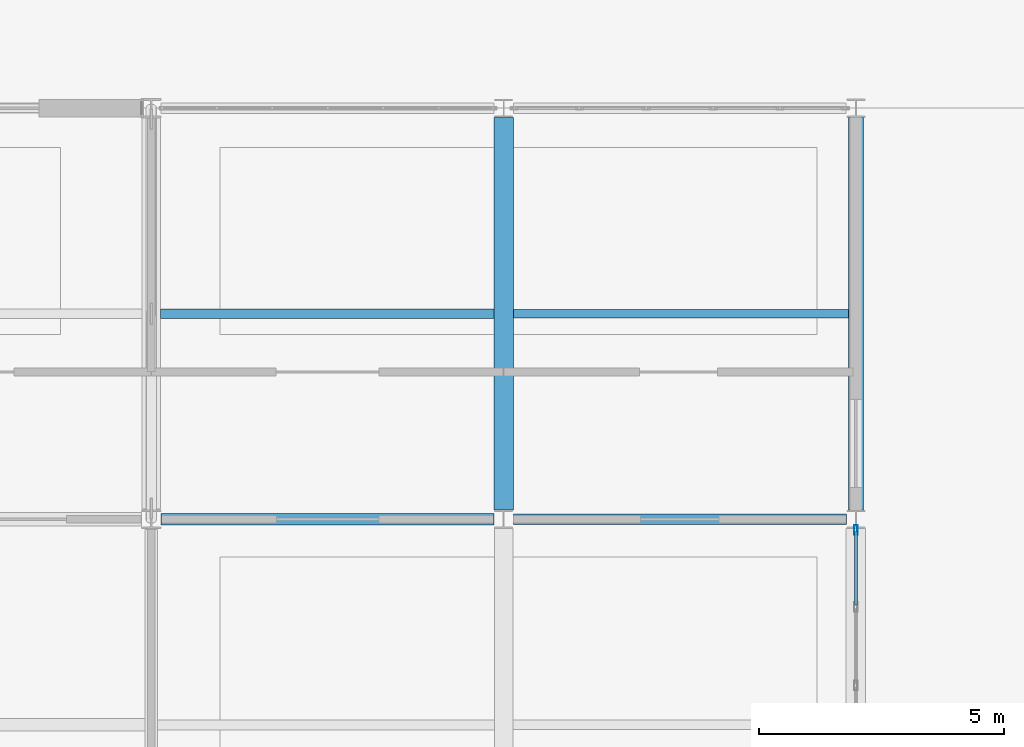
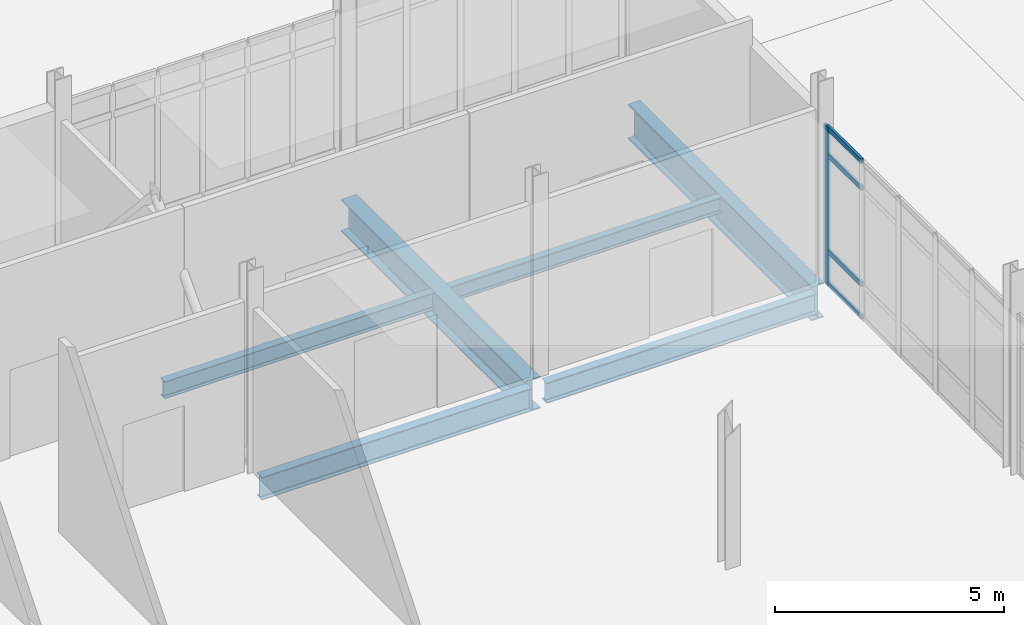
# One storey, part 125 of 229: 6 beams, 5 members, 1 element without a shape of its own.
"""IFC4 building model written with IfcOpenShell, lengths in metres."""

from ifc_helpers import new_model, si_unit, direction, frame, origin, origin_2d, place, context, subcontext, project, spatial, hollow_rectangle, i_section, extrude, material, layer, layer_set, material_profile, profile_set, type_object, element, aggregate, save


model = new_model("IFC4")

# Units and contexts
model_context = context("Model", 3, precision=1e-05, world=origin(), true_north=direction((0.0, 1.0)))
body_context = subcontext(model_context, "Body", "Model", "MODEL_VIEW")
ifc_project = project(units=[si_unit("LENGTHUNIT", "METRE"), si_unit("AREAUNIT", "SQUARE_METRE"), si_unit("VOLUMEUNIT", "CUBIC_METRE"), si_unit("PLANEANGLEUNIT", "RADIAN"), si_unit("MASSUNIT", "GRAM", prefix="KILO")], contexts=[model_context])

# Site, building, storey
site_placement = place(None, origin())
site = spatial("IfcSite", under=ifc_project, at=site_placement, CompositionType="ELEMENT")
building_placement = place(site_placement, origin())
building = spatial("IfcBuilding", under=site, at=building_placement, Name="Calvrana Isthmian Art Gallery", CompositionType="ELEMENT")
storey_placement = place(building_placement, origin())
storey = spatial("IfcBuildingStorey", under=building, at=storey_placement, Name="L00", CompositionType="ELEMENT", Elevation=0.0)

# Beams
ifc_material_1 = material(Name="Steel ASTM A992 Gr 50", Category="steel")
ifc_material_profile_1 = material_profile(ifc_material_1, i_section(OverallWidth=0.214111328125, OverallDepth=0.549072265625, WebThickness=0.0146484375, FlangeThickness=0.023681640625, FilletRadius=0.02099609375, at=origin_2d()), Name="W21X93")
ifc_profile_set_1 = profile_set([ifc_material_profile_1], Name="Steel ASTM A992 Gr 50")
beam_type_1 = type_object("IfcBeamType", Name="BM-G-W21X93", PredefinedType="BEAM", material=ifc_profile_set_1)
beam_1_placement = place(storey_placement, frame((148.998046875, 38.39990234375, -0.5595703125), z_axis=(1.0, 0.0, 0.0), x_axis=(0.0, 1.0, 0.0)))
element("IfcBeam", 1, at=beam_1_placement, inside=storey, type_object=beam_type_1, Name="Girder X L00 20-21/F", PredefinedType="BEAM", context=body_context, shape_type="SweptSolid", body=[
    extrude(i_section(OverallWidth=0.214111328125, OverallDepth=0.549072265625, WebThickness=0.0146484375, FlangeThickness=0.023681640625, FilletRadius=0.02099609375, at=origin_2d()), origin(), (0.0, 0.0, 1.0), 6.804931640625),
])
ifc_material_profile_2 = material_profile(ifc_material_1, i_section(OverallWidth=0.22802734375, OverallDepth=0.60693359375, WebThickness=0.01123046875, FlangeThickness=0.017333984375, FilletRadius=0.02197265625, at=origin_2d()), Name="W24X76")
ifc_profile_set_2 = profile_set([ifc_material_profile_2], Name="Steel ASTM A992 Gr 50")
beam_type_2 = type_object("IfcBeamType", Name="BM-G-W24X76", PredefinedType="BEAM", material=ifc_profile_set_2)
beam_2_placement = place(storey_placement, frame((141.802978515625, 38.39990234375, -0.58837890625), z_axis=(1.0, 0.0, 0.0), x_axis=(0.0, 1.0, 0.0)))
element("IfcBeam", 2, at=beam_2_placement, inside=storey, type_object=beam_type_2, Name="Girder X L00 19-20/F", PredefinedType="BEAM", context=body_context, shape_type="SweptSolid", body=[
    extrude(i_section(OverallWidth=0.22802734375, OverallDepth=0.60693359375, WebThickness=0.01123046875, FlangeThickness=0.017333984375, FilletRadius=0.02197265625, at=origin_2d()), origin(), (0.0, 0.0, 1.0), 6.799072265625),
])
ifc_material_profile_3 = material_profile(ifc_material_1, i_section(OverallWidth=0.40087890625, OverallDepth=0.85595703125, WebThickness=0.018310546875, FlangeThickness=0.029296875, FilletRadius=0.02587890625, at=origin_2d()), Name="W33X201")
ifc_profile_set_3 = profile_set([ifc_material_profile_3], Name="Steel ASTM A992 Gr 50")
beam_type_3 = type_object("IfcBeamType", Name="BM-G-W33X201", PredefinedType="BEAM", material=ifc_profile_set_3)
beam_3_placement = place(storey_placement, frame((148.800048828125, 38.590576171875, -0.712890625), z_axis=(0.0, 1.0, 0.0), x_axis=(-1.0, 0.0, 0.0)))
element("IfcBeam", 3, at=beam_3_placement, inside=storey, type_object=beam_type_3, Name="Girder Y L00 20/F-G", PredefinedType="BEAM", context=body_context, shape_type="SweptSolid", body=[
    extrude(i_section(OverallWidth=0.40087890625, OverallDepth=0.85595703125, WebThickness=0.018310546875, FlangeThickness=0.029296875, FilletRadius=0.02587890625, at=origin_2d()), origin(), (0.0, 0.0, 1.0), 8.016357421875),
])
ifc_material_profile_4 = material_profile(ifc_material_1, i_section(OverallWidth=0.306884765625, OverallDepth=0.927001953125, WebThickness=0.019287109375, FlangeThickness=0.031982421875, FilletRadius=0.028076171875, at=origin_2d()), Name="W36X194")
ifc_profile_set_4 = profile_set([ifc_material_profile_4], Name="Steel ASTM A992 Gr 50")
beam_type_4 = type_object("IfcBeamType", Name="BM-G-W36X194", PredefinedType="BEAM", material=ifc_profile_set_4)
beam_4_placement = place(storey_placement, frame((156.0, 38.587890625, -0.74853515625), z_axis=(0.0, 1.0, 0.0), x_axis=(-1.0, 0.0, 0.0)))
element("IfcBeam", 4, at=beam_4_placement, inside=storey, type_object=beam_type_4, Name="Girder Y L00 21/F-G", PredefinedType="BEAM", context=body_context, shape_type="SweptSolid", body=[
    extrude(i_section(OverallWidth=0.306884765625, OverallDepth=0.927001953125, WebThickness=0.019287109375, FlangeThickness=0.031982421875, FilletRadius=0.028076171875, at=origin_2d()), origin(), (0.0, 0.0, 1.0), 8.021728515625),
])
ifc_material_profile_5 = material_profile(ifc_material_1, i_section(OverallWidth=0.179931640625, OverallDepth=0.4140625, WebThickness=0.009765625, FlangeThickness=0.01611328125, FilletRadius=0.01806640625, at=origin_2d()), Name="W16X50")
ifc_profile_set_5 = profile_set([ifc_material_profile_5], Name="Steel ASTM A992 Gr 50")
beam_type_5 = type_object("IfcBeamType", Name="BM-J-W16X50", PredefinedType="JOIST", material=ifc_profile_set_5)
beam_5_placement = place(storey_placement, frame((149.00048828125, 42.60009765625, -0.491943359375), z_axis=(1.0, 0.0, 0.0), x_axis=(0.0, 1.0, 0.0)))
element("IfcBeam", 5, at=beam_5_placement, inside=storey, type_object=beam_type_5, Name="Composite joist L00 bay 19-05", PredefinedType="JOIST", context=body_context, shape_type="SweptSolid", body=[
    extrude(i_section(OverallWidth=0.179931640625, OverallDepth=0.4140625, WebThickness=0.009765625, FlangeThickness=0.01611328125, FilletRadius=0.01806640625, at=origin_2d()), origin(), (0.0, 0.0, 1.0), 6.845947265625),
])
ifc_material_profile_6 = material_profile(ifc_material_1, i_section(OverallWidth=0.19091796875, OverallDepth=0.45703125, WebThickness=0.009033203125, FlangeThickness=0.014404296875, FilletRadius=0.02001953125, at=origin_2d()), Name="W18X50")
ifc_profile_set_6 = profile_set([ifc_material_profile_6], Name="Steel ASTM A992 Gr 50")
beam_type_6 = type_object("IfcBeamType", Name="BM-J-W18X50", PredefinedType="JOIST", material=ifc_profile_set_6)
beam_6_placement = place(storey_placement, frame((141.79052734375, 42.60009765625, -0.513427734375), z_axis=(1.0, 0.0, 0.0), x_axis=(0.0, 1.0, 0.0)))
element("IfcBeam", 6, at=beam_6_placement, inside=storey, type_object=beam_type_6, Name="Composite joist L00 bay 18-05", PredefinedType="JOIST", context=body_context, shape_type="SweptSolid", body=[
    extrude(i_section(OverallWidth=0.19091796875, OverallDepth=0.45703125, WebThickness=0.009033203125, FlangeThickness=0.014404296875, FilletRadius=0.02001953125, at=origin_2d()), origin(), (0.0, 0.0, 1.0), 6.80908203125),
])

# Curtain wall, members
ifc_material_2 = material(Name="Anodized bronze aluminium 6063-T6", Category="aluminium")
ifc_layer = layer(ifc_material_2, 0.179931640625, Name="Anodized bronze aluminium 6063-T6")
ifc_layer_set = layer_set([ifc_layer], Name="Anodized bronze aluminium 6063-T6")
curtain_wall_type = type_object("IfcCurtainWallType", Name="CW-UNIT-080X42", PredefinedType="USERDEFINED", material=ifc_layer_set)
curtain_wall_placement = place(storey_placement, origin())
curtain_wall = element("IfcCurtainWall", 7, at=curtain_wall_placement, inside=storey, type_object=curtain_wall_type, Name="Curtain wall CW-081", ObjectType="UNITISED CURTAIN WALL", PredefinedType="USERDEFINED")
ifc_material_profile_7 = material_profile(ifc_material_2, hollow_rectangle(XDim=0.070068359375, YDim=0.199951171875, WallThickness=0.0048828125, at=origin_2d()), Name="CWM70X200")
ifc_profile_set_7 = profile_set([ifc_material_profile_7], Name="Anodized bronze aluminium 6063-T6")
member_type_1 = type_object("IfcMemberType", Name="CWM-CWM70X200", PredefinedType="MULLION", material=ifc_profile_set_7)
member_1_placement = place(storey_placement, frame((156.0, 38.180908203125, 0.0), z_axis=(0.0, 0.0, 1.0), x_axis=(1.0, 0.0, 0.0)))
member_1 = element("IfcMember", 8, at=member_1_placement, type_object=member_type_1, Name="CW-081 mullion 1", PredefinedType="MULLION", context=body_context, shape_type="SweptSolid", body=[
    extrude(hollow_rectangle(XDim=0.070068359375, YDim=0.199951171875, WallThickness=0.0048828125, at=origin_2d()), origin(), (0.0, 0.0, 1.0), 4.212890625),
])
ifc_material_profile_8 = material_profile(ifc_material_2, hollow_rectangle(XDim=0.06005859375, YDim=0.1298828125, WallThickness=0.00390625, at=origin_2d()), Name="CWT60X130")
ifc_profile_set_8 = profile_set([ifc_material_profile_8], Name="Anodized bronze aluminium 6063-T6")
member_type_2 = type_object("IfcMemberType", Name="CWT-CWT60X130", PredefinedType="USERDEFINED", material=ifc_profile_set_8)
member_2_placement = place(storey_placement, frame((156.0, 38.14599609375, 0.030029296875), z_axis=(0.0, -1.0, 0.0), x_axis=(1.0, 0.0, 0.0)))
member_2 = element("IfcMember", 9, at=member_2_placement, type_object=member_type_2, Name="CW-081 transom 1.1", ObjectType="TRANSOM", PredefinedType="USERDEFINED", context=body_context, shape_type="SweptSolid", body=[
    extrude(hollow_rectangle(XDim=0.06005859375, YDim=0.1298828125, WallThickness=0.00390625, at=origin_2d()), origin(), (0.0, 0.0, 1.0), 1.501953125),
])
member_3_placement = place(storey_placement, frame((156.0, 38.14599609375, 0.89990234375), z_axis=(0.0, -1.0, 0.0), x_axis=(1.0, 0.0, 0.0)))
member_3 = element("IfcMember", 10, at=member_3_placement, type_object=member_type_2, Name="CW-081 transom 1.2", ObjectType="TRANSOM", PredefinedType="USERDEFINED", context=body_context, shape_type="SweptSolid", body=[
    extrude(hollow_rectangle(XDim=0.06005859375, YDim=0.1298828125, WallThickness=0.00390625, at=origin_2d()), origin(), (0.0, 0.0, 1.0), 1.501953125),
])
member_4_placement = place(storey_placement, frame((156.0, 38.14599609375, 3.462890625), z_axis=(0.0, -1.0, 0.0), x_axis=(1.0, 0.0, 0.0)))
member_4 = element("IfcMember", 11, at=member_4_placement, type_object=member_type_2, Name="CW-081 transom 1.3", ObjectType="TRANSOM", PredefinedType="USERDEFINED", context=body_context, shape_type="SweptSolid", body=[
    extrude(hollow_rectangle(XDim=0.06005859375, YDim=0.1298828125, WallThickness=0.00390625, at=origin_2d()), origin(), (0.0, 0.0, 1.0), 1.501953125),
])
member_5_placement = place(storey_placement, frame((156.0, 38.14599609375, 4.18310546875), z_axis=(0.0, -1.0, 0.0), x_axis=(1.0, 0.0, 0.0)))
member_5 = element("IfcMember", 12, at=member_5_placement, type_object=member_type_2, Name="CW-081 transom 1.4", ObjectType="TRANSOM", PredefinedType="USERDEFINED", context=body_context, shape_type="SweptSolid", body=[
    extrude(hollow_rectangle(XDim=0.06005859375, YDim=0.1298828125, WallThickness=0.00390625, at=origin_2d()), origin(), (0.0, 0.0, 1.0), 1.501953125),
])
aggregate(curtain_wall, [member_1, member_2, member_3, member_4, member_5])

save(model, "model.ifc")
